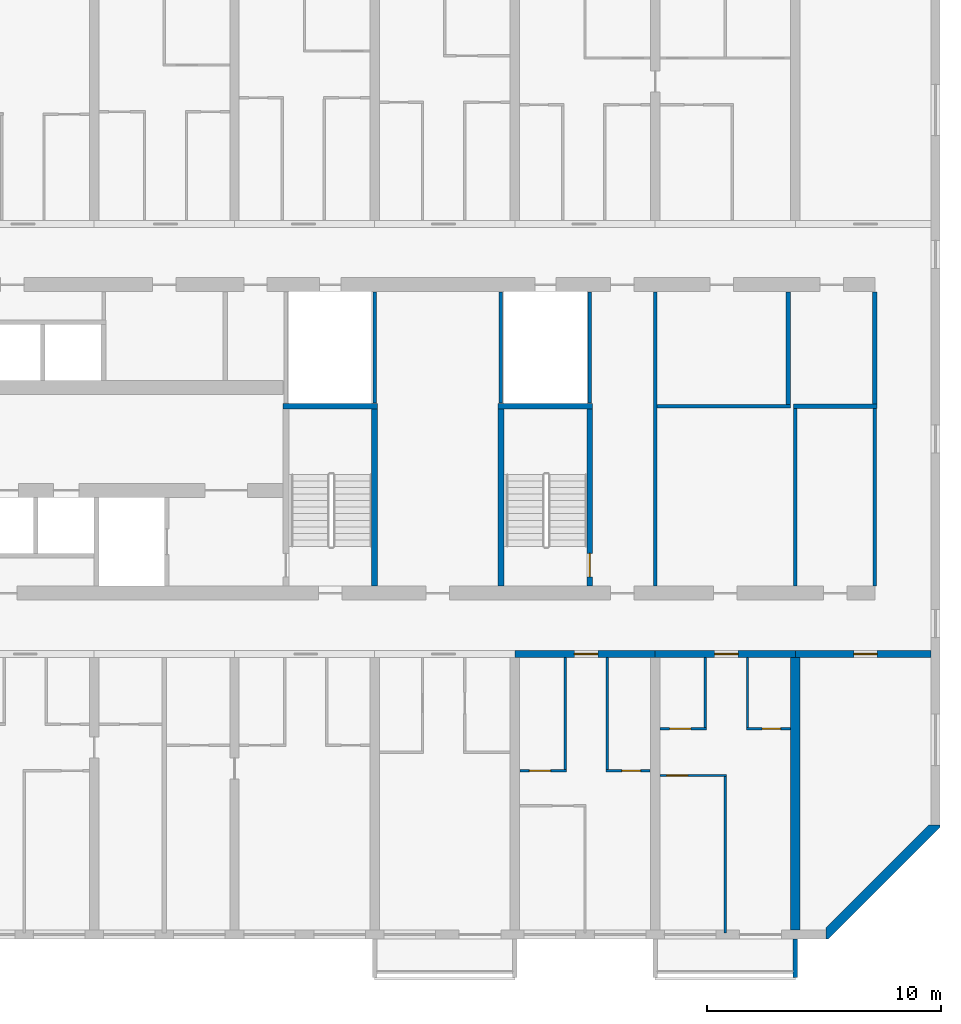
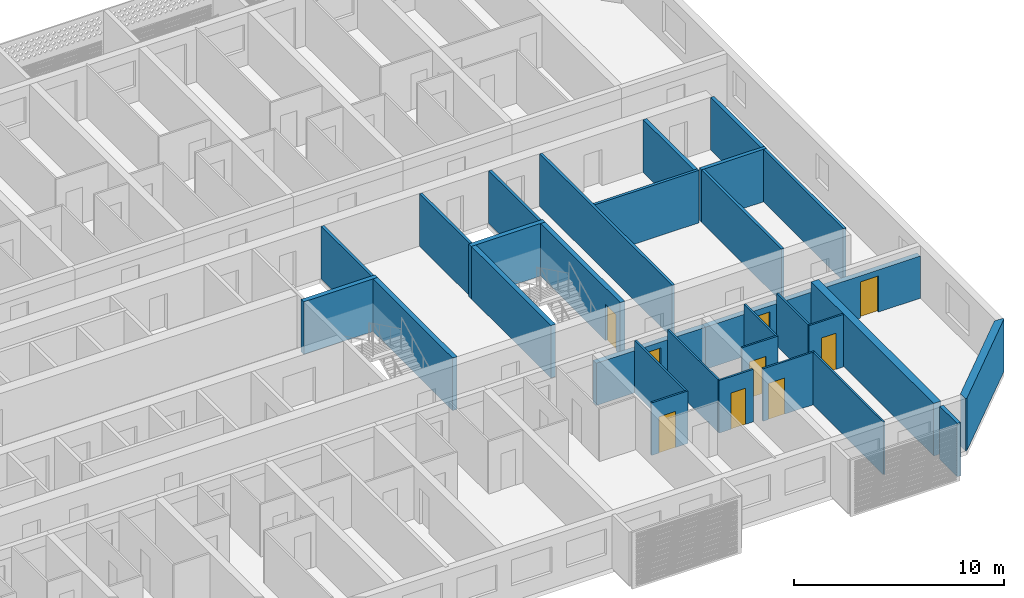
# One storey, part 14 of 39: 31 walls, 9 doors, 9 openings.
"""IFC4 building model written with IfcOpenShell, lengths in metres."""

from ifc_helpers import new_model, si_unit, direction, frame, frame_2d, origin, place, context, subcontext, project, spatial, polyline, rectangle, outline, extrude, source, transform, mapped, material, layer, layer_set, type_object, element, fill, save


model = new_model("IFC4")

# Units and contexts
model_context = context("Model", 3, precision=1e-05, world=origin(), true_north=direction((0.0, 1.0)))
body_context = subcontext(model_context, "Body", "Model", "MODEL_VIEW")
ifc_project = project(units=[si_unit("LENGTHUNIT", "METRE"), si_unit("AREAUNIT", "SQUARE_METRE"), si_unit("VOLUMEUNIT", "CUBIC_METRE"), si_unit("PLANEANGLEUNIT", "RADIAN"), si_unit("MASSUNIT", "GRAM", prefix="KILO")], contexts=[model_context])

# Site, building, storey
site_placement = place(None, origin())
site = spatial("IfcSite", under=ifc_project, at=site_placement, CompositionType="ELEMENT")
building_placement = place(site_placement, origin())
building = spatial("IfcBuilding", under=site, at=building_placement, Name="Poui Terraces", CompositionType="ELEMENT")
storey_placement = place(building_placement, frame((0.0, 0.0, 59.699951171875)))
storey = spatial("IfcBuildingStorey", under=building, at=storey_placement, Name="L16", CompositionType="ELEMENT", Elevation=59.699951171875)

# Walls
ifc_material_1 = material(Name="Fire-rated plasterboard wall")
ifc_layer_1 = layer(ifc_material_1, 0.14990234375)
ifc_layer_set_1 = layer_set([ifc_layer_1], Name="Fire-rated plasterboard wall")
wall_type_1 = type_object("IfcWallType", Name="CORRIDOR WALL 150", PredefinedType="PARTITIONING", material=ifc_layer_set_1)
wall_1_placement = place(storey_placement, frame((84.0, 14.909912109375, 0.0), z_axis=(0.0, 0.0, 1.0), x_axis=(0.0, 1.0, 0.0)))
element("IfcWall", 1, at=wall_1_placement, inside=storey, type_object=wall_type_1, Name="CORRIDOR WALL 150", PredefinedType="PARTITIONING", context=body_context, shape_type="SweptSolid", body=[
    extrude(rectangle(XDim=12.580078125, YDim=0.14990234375, at=frame_2d((6.2900390625, 0.0))), origin(), (0.0, 0.0, 1.0), 3.050048828125),
])
wall_2_placement = place(storey_placement, frame((93.39990234375, 14.909912109375, 0.0), z_axis=(0.0, 0.0, 1.0), x_axis=(0.0, 1.0, 0.0)))
element("IfcWall", 2, at=wall_2_placement, inside=storey, type_object=wall_type_1, Name="CORRIDOR WALL 150", PredefinedType="PARTITIONING", context=body_context, shape_type="SweptSolid", body=[
    extrude(rectangle(XDim=7.590087890625, YDim=0.14990234375, at=frame_2d((3.794921875, 0.0))), origin(), (0.0, 0.0, 1.0), 3.050048828125),
])

# Wall, opening, door
ifc_material_2 = material(Name="Concrete 80 MPa", Category="concrete")
ifc_layer_2 = layer(ifc_material_2, 0.300048828125)
ifc_layer_set_2 = layer_set([ifc_layer_2], Name="Concrete 80 MPa")
wall_type_2 = type_object("IfcWallType", Name="CORRIDOR WALL 300 80MPa", PredefinedType="SHEAR", material=ifc_layer_set_2)
wall_3_placement = place(storey_placement, frame((78.0, 12.0, 0.0), z_axis=(0.0, 0.0, 1.0), x_axis=(1.0, 0.0, 0.0)))
wall_3 = element("IfcWall", 3, at=wall_3_placement, inside=storey, type_object=wall_type_2, Name="CORRIDOR WALL LINE B BAY 13", PredefinedType="SHEAR", context=body_context, shape_type="SweptSolid", body=[
    extrude(rectangle(XDim=6.0, YDim=0.300048828125, at=frame_2d((3.0, 0.0))), origin(), (0.0, 0.0, 1.0), 2.449951171875),
])
opening_1_placement = place(wall_3_placement, frame((2.550048828125, 0.0, 0.0)))
opening_1 = element("IfcOpeningElement", 4, at=opening_1_placement, cuts=wall_3, Name="Opening FD30S", PredefinedType="OPENING", context=body_context, shape_type="SweptSolid", body=[
    extrude(rectangle(XDim=1.0, YDim=2.10009765625, at=frame_2d((0.5, 1.050048828125))), frame((0.0, 0.16015625, 0.0), z_axis=(0.0, -1.0, 0.0), x_axis=(1.0, 0.0, 0.0)), (0.0, 0.0, 1.0), 0.320068359375),
])
ifc_material_3 = material(Name="Steel fire door", Category="steel")
door_type_1 = type_object("IfcDoorType", Name="FLAT ENTRANCE DOOR 1000 X 2100", OperationType="NOTDEFINED", PredefinedType="DOOR", material=ifc_material_3)
door_1_placement = place(opening_1_placement, frame((1.0, 0.0, 0.0), z_axis=(0.0, 0.0, 1.0), x_axis=(-1.0, 0.0, 0.0)))
door_1 = element("IfcDoor", 5, at=door_1_placement, inside=storey, type_object=door_type_1, Name="FLAT ENTRANCE DOOR 128", OperationType="SINGLE_SWING_LEFT", OverallHeight=2.10009765625, OverallWidth=1.0, PredefinedType="DOOR", context=body_context, shape_type="SweptSolid", body=[
    extrude(rectangle(XDim=1.0, YDim=2.10009765625, at=frame_2d((0.5, 1.050048828125))), frame((0.0, 0.02490234375, 0.0), z_axis=(0.0, -1.0, 0.0), x_axis=(1.0, 0.0, 0.0)), (0.0, 0.0, 1.0), 0.050048828125),
])
fill(opening_1, door_1)

wall_4_placement = place(storey_placement, frame((84.0, 12.0, 0.0), z_axis=(0.0, 0.0, 1.0), x_axis=(1.0, 0.0, 0.0)))
wall_4 = element("IfcWall", 6, at=wall_4_placement, inside=storey, type_object=wall_type_2, Name="CORRIDOR WALL LINE B BAY 14", PredefinedType="SHEAR", context=body_context, shape_type="SweptSolid", body=[
    extrude(rectangle(XDim=6.0, YDim=0.300048828125, at=frame_2d((3.0, 0.0))), origin(), (0.0, 0.0, 1.0), 2.449951171875),
])
opening_2_placement = place(wall_4_placement, frame((2.550048828125, 0.0, 0.0)))
opening_2 = element("IfcOpeningElement", 7, at=opening_2_placement, cuts=wall_4, Name="Opening FD30S", PredefinedType="OPENING", context=body_context, shape_type="SweptSolid", body=[
    extrude(rectangle(XDim=1.0, YDim=2.10009765625, at=frame_2d((0.5, 1.050048828125))), frame((0.0, 0.16015625, 0.0), z_axis=(0.0, -1.0, 0.0), x_axis=(1.0, 0.0, 0.0)), (0.0, 0.0, 1.0), 0.320068359375),
])
door_2_placement = place(opening_2_placement, frame((1.0, 0.0, 0.0), z_axis=(0.0, 0.0, 1.0), x_axis=(-1.0, 0.0, 0.0)))
door_2 = element("IfcDoor", 8, at=door_2_placement, inside=storey, type_object=door_type_1, Name="FLAT ENTRANCE DOOR 132", OperationType="SINGLE_SWING_LEFT", OverallHeight=2.10009765625, OverallWidth=1.0, PredefinedType="DOOR", context=body_context, shape_type="SweptSolid", body=[
    extrude(rectangle(XDim=1.0, YDim=2.10009765625, at=frame_2d((0.5, 1.050048828125))), frame((0.0, 0.02490234375, 0.0), z_axis=(0.0, -1.0, 0.0), x_axis=(1.0, 0.0, 0.0)), (0.0, 0.0, 1.0), 0.050048828125),
])
fill(opening_2, door_2)

wall_5_placement = place(storey_placement, frame((90.0, 12.0, 0.0), z_axis=(0.0, 0.0, 1.0), x_axis=(1.0, 0.0, 0.0)))
wall_5 = element("IfcWall", 9, at=wall_5_placement, inside=storey, type_object=wall_type_2, Name="CORRIDOR WALL LINE B BAY 15", PredefinedType="SHEAR", context=body_context, shape_type="SweptSolid", body=[
    extrude(rectangle(XDim=5.800048828125, YDim=0.300048828125, at=frame_2d((2.89990234375, 0.0))), origin(), (0.0, 0.0, 1.0), 2.449951171875),
])
opening_3_placement = place(wall_5_placement, frame((2.5, 0.0, 0.0)))
opening_3 = element("IfcOpeningElement", 10, at=opening_3_placement, cuts=wall_5, Name="Opening D100", PredefinedType="OPENING", context=body_context, shape_type="SweptSolid", body=[
    extrude(rectangle(XDim=1.0, YDim=2.10009765625, at=frame_2d((0.5, 1.050048828125))), frame((0.0, 0.16015625, 0.0), z_axis=(0.0, -1.0, 0.0), x_axis=(1.0, 0.0, 0.0)), (0.0, 0.0, 1.0), 0.320068359375),
])
ifc_material_4 = material(Name="Solid core timber door", Category="wood")
door_type_2 = type_object("IfcDoorType", Name="ACCESSIBLE INTERNAL DOOR 1000 X 2100", OperationType="NOTDEFINED", PredefinedType="DOOR", material=ifc_material_4)
door_3_placement = place(opening_3_placement, frame((1.0, 0.0, 0.0), z_axis=(0.0, 0.0, 1.0), x_axis=(-1.0, 0.0, 0.0)))
door_3 = element("IfcDoor", 11, at=door_3_placement, inside=storey, type_object=door_type_2, Name="ACCESSIBLE INTERNAL DOOR 134", OperationType="SINGLE_SWING_RIGHT", OverallHeight=2.10009765625, OverallWidth=1.0, PredefinedType="DOOR", context=body_context, shape_type="SweptSolid", body=[
    extrude(rectangle(XDim=1.0, YDim=2.10009765625, at=frame_2d((0.5, 1.050048828125))), frame((0.0, 0.02490234375, 0.0), z_axis=(0.0, -1.0, 0.0), x_axis=(1.0, 0.0, 0.0)), (0.0, 0.0, 1.0), 0.050048828125),
])
fill(opening_3, door_3)

# Wall
ifc_layer_3 = layer(ifc_material_2, 0.39990234375)
ifc_layer_set_3 = layer_set([ifc_layer_3], Name="Concrete 80 MPa")
wall_type_3 = type_object("IfcWallType", Name="CROSS WALL 400 80MPa", PredefinedType="SHEAR", material=ifc_layer_set_3)
wall_6_placement = place(storey_placement, frame((90.0, 0.199951171875, 0.0), z_axis=(0.0, 0.0, 1.0), x_axis=(0.0, 1.0, 0.0)))
element("IfcWall", 12, at=wall_6_placement, inside=storey, type_object=wall_type_3, Name="CROSS WALL LINE 16 SOUTH", PredefinedType="SHEAR", context=body_context, shape_type="SweptSolid", body=[
    extrude(rectangle(XDim=11.650146484375, YDim=0.39990234375, at=frame_2d((5.8251953125, 0.0))), origin(), (0.0, 0.0, 1.0), 3.050048828125),
])

# Wall, opening, door
ifc_material_5 = material(Name="Plasterboard partition")
ifc_layer_4 = layer(ifc_material_5, 0.10009765625)
ifc_layer_set_4 = layer_set([ifc_layer_4], Name="Plasterboard partition")
wall_type_4 = type_object("IfcWallType", Name="FLAT PARTITION 100", PredefinedType="PARTITIONING", material=ifc_layer_set_4)
wall_7_placement = place(storey_placement, frame((84.2099609375, 6.800048828125, 0.0), z_axis=(0.0, 0.0, 1.0), x_axis=(1.0, 0.0, 0.0)))
wall_7 = element("IfcWall", 13, at=wall_7_placement, inside=storey, type_object=wall_type_4, Name="FLAT PARTITION 100", PredefinedType="PARTITIONING", context=body_context, shape_type="SweptSolid", body=[
    extrude(rectangle(XDim=2.840087890625, YDim=0.10009765625, at=frame_2d((1.419921875, 0.0))), origin(), (0.0, 0.0, 1.0), 3.050048828125),
])
opening_4_placement = place(wall_7_placement, frame((0.2900390625, 0.0, 0.0)))
opening_4 = element("IfcOpeningElement", 14, at=opening_4_placement, cuts=wall_7, Name="Opening D90", PredefinedType="OPENING", context=body_context, shape_type="SweptSolid", body=[
    extrude(rectangle(XDim=0.89990234375, YDim=2.10009765625, at=frame_2d((0.449951171875, 1.050048828125))), frame((0.0, 0.06005859375, 0.0), z_axis=(0.0, -1.0, 0.0), x_axis=(1.0, 0.0, 0.0)), (0.0, 0.0, 1.0), 0.1201171875),
])
door_type_3 = type_object("IfcDoorType", Name="INTERNAL DOOR 900 X 2100", OperationType="NOTDEFINED", PredefinedType="DOOR", material=ifc_material_4)
door_4_placement = place(opening_4_placement, origin())
door_4 = element("IfcDoor", 15, at=door_4_placement, inside=storey, type_object=door_type_3, Name="INTERNAL DOOR 130", OperationType="SINGLE_SWING_RIGHT", OverallHeight=2.10009765625, OverallWidth=0.89990234375, PredefinedType="DOOR", context=body_context, shape_type="SweptSolid", body=[
    extrude(rectangle(XDim=0.89990234375, YDim=2.10009765625, at=frame_2d((0.449951171875, 1.050048828125))), frame((0.0, 0.02490234375, 0.0), z_axis=(0.0, -1.0, 0.0), x_axis=(1.0, 0.0, 0.0)), (0.0, 0.0, 1.0), 0.050048828125),
])
fill(opening_4, door_4)

wall_8_placement = place(storey_placement, frame((78.2099609375, 7.0, 0.0), z_axis=(0.0, 0.0, 1.0), x_axis=(1.0, 0.0, 0.0)))
wall_8 = element("IfcWall", 16, at=wall_8_placement, inside=storey, type_object=wall_type_4, Name="FLAT PARTITION 100", PredefinedType="PARTITIONING", context=body_context, shape_type="SweptSolid", body=[
    extrude(rectangle(XDim=1.989990234375, YDim=0.10009765625, at=frame_2d((0.9951171875, 0.0))), origin(), (0.0, 0.0, 1.0), 3.050048828125),
])
opening_5_placement = place(wall_8_placement, frame((0.4150390625, 0.0, 0.0)))
opening_5 = element("IfcOpeningElement", 17, at=opening_5_placement, cuts=wall_8, Name="Opening D90", PredefinedType="OPENING", context=body_context, shape_type="SweptSolid", body=[
    extrude(rectangle(XDim=0.89990234375, YDim=2.10009765625, at=frame_2d((0.449951171875, 1.050048828125))), frame((0.0, 0.06005859375, 0.0), z_axis=(0.0, -1.0, 0.0), x_axis=(1.0, 0.0, 0.0)), (0.0, 0.0, 1.0), 0.1201171875),
])
door_5_placement = place(opening_5_placement, origin())
door_5 = element("IfcDoor", 18, at=door_5_placement, inside=storey, type_object=door_type_3, Name="INTERNAL DOOR 126", OperationType="SINGLE_SWING_RIGHT", OverallHeight=2.10009765625, OverallWidth=0.89990234375, PredefinedType="DOOR", context=body_context, shape_type="SweptSolid", body=[
    extrude(rectangle(XDim=0.89990234375, YDim=2.10009765625, at=frame_2d((0.449951171875, 1.050048828125))), frame((0.0, 0.02490234375, 0.0), z_axis=(0.0, -1.0, 0.0), x_axis=(1.0, 0.0, 0.0)), (0.0, 0.0, 1.0), 0.050048828125),
])
fill(opening_5, door_5)

wall_9_placement = place(storey_placement, frame((81.89990234375, 7.0, 0.0), z_axis=(0.0, 0.0, 1.0), x_axis=(1.0, 0.0, 0.0)))
wall_9 = element("IfcWall", 19, at=wall_9_placement, inside=storey, type_object=wall_type_4, Name="FLAT PARTITION 100", PredefinedType="PARTITIONING", context=body_context, shape_type="SweptSolid", body=[
    extrude(rectangle(XDim=1.89013671875, YDim=0.10009765625, at=frame_2d((0.945068359375, 0.0))), origin(), (0.0, 0.0, 1.0), 3.050048828125),
])
opening_6_placement = place(wall_9_placement, frame((0.675048828125, 0.0, 0.0)))
opening_6 = element("IfcOpeningElement", 20, at=opening_6_placement, cuts=wall_9, Name="Opening D80", PredefinedType="OPENING", context=body_context, shape_type="SweptSolid", body=[
    extrude(rectangle(XDim=0.800048828125, YDim=2.10009765625, at=frame_2d((0.39990234375, 1.050048828125))), frame((0.0, 0.06005859375, 0.0), z_axis=(0.0, -1.0, 0.0), x_axis=(1.0, 0.0, 0.0)), (0.0, 0.0, 1.0), 0.1201171875),
])
door_type_4 = type_object("IfcDoorType", Name="BATHROOM, LAUNDRY AND STORE DOOR 800 X 2100", OperationType="NOTDEFINED", PredefinedType="DOOR", material=ifc_material_4)
door_6_placement = place(opening_6_placement, origin())
door_6 = element("IfcDoor", 21, at=door_6_placement, inside=storey, type_object=door_type_4, Name="BATHROOM, LAUNDRY AND STORE DOOR 129", OperationType="SINGLE_SWING_LEFT", OverallHeight=2.10009765625, OverallWidth=0.800048828125, PredefinedType="DOOR", context=body_context, shape_type="SweptSolid", body=[
    extrude(rectangle(XDim=0.800048828125, YDim=2.10009765625, at=frame_2d((0.39990234375, 1.050048828125))), frame((0.0, 0.02490234375, 0.0), z_axis=(0.0, -1.0, 0.0), x_axis=(1.0, 0.0, 0.0)), (0.0, 0.0, 1.0), 0.050048828125),
])
fill(opening_6, door_6)

wall_10_placement = place(storey_placement, frame((84.2099609375, 8.800048828125, 0.0), z_axis=(0.0, 0.0, 1.0), x_axis=(1.0, 0.0, 0.0)))
wall_10 = element("IfcWall", 22, at=wall_10_placement, inside=storey, type_object=wall_type_4, Name="FLAT PARTITION 100", PredefinedType="PARTITIONING", context=body_context, shape_type="SweptSolid", body=[
    extrude(rectangle(XDim=1.989990234375, YDim=0.10009765625, at=frame_2d((0.9951171875, 0.0))), origin(), (0.0, 0.0, 1.0), 3.050048828125),
])
opening_7_placement = place(wall_10_placement, frame((0.4150390625, 0.0, 0.0)))
opening_7 = element("IfcOpeningElement", 23, at=opening_7_placement, cuts=wall_10, Name="Opening D90", PredefinedType="OPENING", context=body_context, shape_type="SweptSolid", body=[
    extrude(rectangle(XDim=0.89990234375, YDim=2.10009765625, at=frame_2d((0.449951171875, 1.050048828125))), frame((0.0, 0.06005859375, 0.0), z_axis=(0.0, -1.0, 0.0), x_axis=(1.0, 0.0, 0.0)), (0.0, 0.0, 1.0), 0.1201171875),
])
door_7_placement = place(opening_7_placement, origin())
door_7 = element("IfcDoor", 24, at=door_7_placement, inside=storey, type_object=door_type_3, Name="INTERNAL DOOR 131", OperationType="SINGLE_SWING_LEFT", OverallHeight=2.10009765625, OverallWidth=0.89990234375, PredefinedType="DOOR", context=body_context, shape_type="SweptSolid", body=[
    extrude(rectangle(XDim=0.89990234375, YDim=2.10009765625, at=frame_2d((0.449951171875, 1.050048828125))), frame((0.0, 0.02490234375, 0.0), z_axis=(0.0, -1.0, 0.0), x_axis=(1.0, 0.0, 0.0)), (0.0, 0.0, 1.0), 0.050048828125),
])
fill(opening_7, door_7)

wall_11_placement = place(storey_placement, frame((87.89990234375, 8.800048828125, 0.0), z_axis=(0.0, 0.0, 1.0), x_axis=(1.0, 0.0, 0.0)))
wall_11 = element("IfcWall", 25, at=wall_11_placement, inside=storey, type_object=wall_type_4, Name="FLAT PARTITION 100", PredefinedType="PARTITIONING", context=body_context, shape_type="SweptSolid", body=[
    extrude(rectangle(XDim=1.89013671875, YDim=0.10009765625, at=frame_2d((0.945068359375, 0.0))), origin(), (0.0, 0.0, 1.0), 3.050048828125),
])
opening_8_placement = place(wall_11_placement, frame((0.675048828125, 0.0, 0.0)))
opening_8 = element("IfcOpeningElement", 26, at=opening_8_placement, cuts=wall_11, Name="Opening D80", PredefinedType="OPENING", context=body_context, shape_type="SweptSolid", body=[
    extrude(rectangle(XDim=0.800048828125, YDim=2.10009765625, at=frame_2d((0.39990234375, 1.050048828125))), frame((0.0, 0.06005859375, 0.0), z_axis=(0.0, -1.0, 0.0), x_axis=(1.0, 0.0, 0.0)), (0.0, 0.0, 1.0), 0.1201171875),
])
door_8_placement = place(opening_8_placement, origin())
door_8 = element("IfcDoor", 27, at=door_8_placement, inside=storey, type_object=door_type_4, Name="BATHROOM, LAUNDRY AND STORE DOOR 133", OperationType="SINGLE_SWING_RIGHT", OverallHeight=2.10009765625, OverallWidth=0.800048828125, PredefinedType="DOOR", context=body_context, shape_type="SweptSolid", body=[
    extrude(rectangle(XDim=0.800048828125, YDim=2.10009765625, at=frame_2d((0.39990234375, 1.050048828125))), frame((0.0, 0.02490234375, 0.0), z_axis=(0.0, -1.0, 0.0), x_axis=(1.0, 0.0, 0.0)), (0.0, 0.0, 1.0), 0.050048828125),
])
fill(opening_8, door_8)

# Walls
for number, where, z_axis, x_axis, name in (
    (28, (80.14990234375, 7.050048828125, 0.0), (0.0, 0.0, 1.0), (0.0, 1.0, 0.0), "FLAT PARTITION 100"),
    (29, (81.949951171875, 7.050048828125, 0.0), (0.0, 0.0, 1.0), (0.0, 1.0, 0.0), "FLAT PARTITION 100"),
):
    element("IfcWall", number, at=place(storey_placement, frame(where, z_axis=z_axis, x_axis=x_axis)), inside=storey, type_object=wall_type_4, Name=name, PredefinedType="PARTITIONING", context=body_context, shape_type="SweptSolid", body=[
        extrude(rectangle(XDim=4.7900390625, YDim=0.10009765625, at=frame_2d((2.39501953125, 0.0))), origin(), (0.0, 0.0, 1.0), 3.050048828125),
    ])
wall_12_placement = place(storey_placement, frame((86.14990234375, 8.85009765625, 0.0), z_axis=(0.0, 0.0, 1.0), x_axis=(0.0, 1.0, 0.0)))
element("IfcWall", 30, at=wall_12_placement, inside=storey, type_object=wall_type_4, Name="FLAT PARTITION 100", PredefinedType="PARTITIONING", context=body_context, shape_type="SweptSolid", body=[
    extrude(rectangle(XDim=2.989990234375, YDim=0.10009765625, at=frame_2d((1.4951171875, 0.0))), origin(), (0.0, 0.0, 1.0), 3.050048828125),
])
wall_13_placement = place(storey_placement, frame((87.0, 0.06005859375, 0.0), z_axis=(0.0, 0.0, 1.0), x_axis=(0.0, 1.0, 0.0)))
element("IfcWall", 31, at=wall_13_placement, inside=storey, type_object=wall_type_4, Name="FLAT PARTITION 100", PredefinedType="PARTITIONING", context=body_context, shape_type="SweptSolid", body=[
    extrude(rectangle(XDim=6.68994140625, YDim=0.10009765625, at=frame_2d((3.344970703125, 0.0))), origin(), (0.0, 0.0, 1.0), 3.050048828125),
])
wall_14_placement = place(storey_placement, frame((87.949951171875, 8.85009765625, 0.0), z_axis=(0.0, 0.0, 1.0), x_axis=(0.0, 1.0, 0.0)))
element("IfcWall", 32, at=wall_14_placement, inside=storey, type_object=wall_type_4, Name="FLAT PARTITION 100", PredefinedType="PARTITIONING", context=body_context, shape_type="SweptSolid", body=[
    extrude(rectangle(XDim=2.989990234375, YDim=0.10009765625, at=frame_2d((1.4951171875, 0.0))), origin(), (0.0, 0.0, 1.0), 3.050048828125),
])
ifc_layer_5 = layer(ifc_material_5, 0.14990234375)
ifc_layer_set_5 = layer_set([ifc_layer_5], Name="Plasterboard partition")
wall_type_5 = type_object("IfcWallType", Name="PARTITION WALL 150", PredefinedType="PARTITIONING", material=ifc_layer_set_5)
wall_15_placement = place(storey_placement, frame((84.074951171875, 22.60009765625, 0.0), z_axis=(0.0, 0.0, 1.0), x_axis=(1.0, 0.0, 0.0)))
element("IfcWall", 33, at=wall_15_placement, inside=storey, type_object=wall_type_5, Name="PARTITION WALL 150", PredefinedType="PARTITIONING", context=body_context, shape_type="SweptSolid", body=[
    extrude(rectangle(XDim=5.72509765625, YDim=0.14990234375, at=frame_2d((2.862548828125, 0.0))), origin(), (0.0, 0.0, 1.0), 3.050048828125),
])
wall_16_placement = place(storey_placement, frame((90.0, 14.909912109375, 0.0), z_axis=(0.0, 0.0, 1.0), x_axis=(0.0, 1.0, 0.0)))
element("IfcWall", 34, at=wall_16_placement, inside=storey, type_object=wall_type_5, Name="PARTITION WALL 150", PredefinedType="PARTITIONING", context=body_context, shape_type="SweptSolid", body=[
    extrude(rectangle(XDim=7.590087890625, YDim=0.14990234375, at=frame_2d((3.794921875, 0.0))), origin(), (0.0, 0.0, 1.0), 3.050048828125),
])
ifc_material_6 = material(Name="Fire-rated masonry wall", Category="masonry")
ifc_layer_6 = layer(ifc_material_6, 0.199951171875)
ifc_layer_set_6 = layer_set([ifc_layer_6], Name="Fire-rated masonry wall")
wall_type_6 = type_object("IfcWallType", Name="PLANT ROOM WALL 200", PredefinedType="PARTITIONING", material=ifc_layer_set_6)
wall_17_placement = place(storey_placement, frame((89.925048828125, 22.60009765625, 0.0), z_axis=(0.0, 0.0, 1.0), x_axis=(1.0, 0.0, 0.0)))
element("IfcWall", 35, at=wall_17_placement, inside=storey, type_object=wall_type_6, Name="PLANT ROOM WALL 200", PredefinedType="PARTITIONING", context=body_context, shape_type="SweptSolid", body=[
    extrude(rectangle(XDim=3.574951171875, YDim=0.199951171875, at=frame_2d((1.78759765625, 0.0))), origin(), (0.0, 0.0, 1.0), 3.050048828125),
])
wall_18_placement = place(storey_placement, frame((89.699951171875, 22.675048828125, 0.0), z_axis=(0.0, 0.0, 1.0), x_axis=(0.0, 1.0, 0.0)))
element("IfcWall", 36, at=wall_18_placement, inside=storey, type_object=wall_type_6, Name="PLANT ROOM WALL 200", PredefinedType="PARTITIONING", context=body_context, shape_type="SweptSolid", body=[
    extrude(rectangle(XDim=4.81494140625, YDim=0.199951171875, at=frame_2d((2.407470703125, 0.0))), origin(), (0.0, 0.0, 1.0), 3.050048828125),
])
wall_19_placement = place(storey_placement, frame((93.39990234375, 22.699951171875, 0.0), z_axis=(0.0, 0.0, 1.0), x_axis=(0.0, 1.0, 0.0)))
element("IfcWall", 37, at=wall_19_placement, inside=storey, type_object=wall_type_6, Name="PLANT ROOM WALL 200", PredefinedType="PARTITIONING", context=body_context, shape_type="SweptSolid", body=[
    extrude(rectangle(XDim=4.7900390625, YDim=0.199951171875, at=frame_2d((2.39501953125, 0.0))), origin(), (0.0, 0.0, 1.0), 3.050048828125),
])
ifc_material_7 = material(Name="Fire-rated plasterboard riser wall")
ifc_layer_7 = layer(ifc_material_7, 0.14990234375)
ifc_layer_set_7 = layer_set([ifc_layer_7], Name="Fire-rated plasterboard riser wall")
wall_type_7 = type_object("IfcWallType", Name="RISER WALL 150", PredefinedType="PARTITIONING", material=ifc_layer_set_7)
for number, where, z_axis, x_axis, name in (
    (38, (72.0, 22.735107421875, 0.0), (0.0, 0.0, 1.0), (0.0, 1.0, 0.0), "RISER WALL 150"),
    (39, (77.39990234375, 22.735107421875, 0.0), (0.0, 0.0, 1.0), (0.0, 1.0, 0.0), "RISER WALL 150"),
    (40, (81.199951171875, 22.735107421875, 0.0), (0.0, 0.0, 1.0), (0.0, 1.0, 0.0), "RISER WALL 150"),
):
    element("IfcWall", number, at=place(storey_placement, frame(where, z_axis=z_axis, x_axis=x_axis)), inside=storey, type_object=wall_type_7, Name=name, PredefinedType="PARTITIONING", context=body_context, shape_type="SweptSolid", body=[
        extrude(rectangle(XDim=4.7548828125, YDim=0.14990234375, at=frame_2d((2.37744140625, 0.0))), origin(), (0.0, 0.0, 1.0), 3.050048828125),
    ])
ifc_layer_8 = layer(ifc_material_2, 0.25)
ifc_layer_set_8 = layer_set([ifc_layer_8], Name="Concrete 80 MPa")
wall_type_8 = type_object("IfcWallType", Name="STAIR CORE WALL 250 80 MPA", PredefinedType="SOLIDWALL", material=ifc_layer_set_8)
wall_20_placement = place(storey_placement, frame((72.0, 14.89990234375, 0.0), z_axis=(0.0, 0.0, 1.0), x_axis=(0.0, 1.0, 0.0)))
element("IfcWall", 41, at=wall_20_placement, inside=storey, type_object=wall_type_8, Name="STAIR CORE WALL", PredefinedType="SOLIDWALL", context=body_context, shape_type="SweptSolid", body=[
    extrude(rectangle(XDim=7.5751953125, YDim=0.25, at=frame_2d((3.78759765625, 0.0))), origin(), (0.0, 0.0, 1.0), 3.050048828125),
])
wall_21_placement = place(storey_placement, frame((68.074951171875, 22.60009765625, 0.0), z_axis=(0.0, 0.0, 1.0), x_axis=(1.0, 0.0, 0.0)))
element("IfcWall", 42, at=wall_21_placement, inside=storey, type_object=wall_type_8, Name="STAIR CORE WALL", PredefinedType="SOLIDWALL", context=body_context, shape_type="SweptSolid", body=[
    extrude(rectangle(XDim=4.050048828125, YDim=0.25, at=frame_2d((2.02490234375, 0.0))), origin(), (0.0, 0.0, 1.0), 3.050048828125),
])
wall_22_placement = place(storey_placement, frame((77.39990234375, 14.89990234375, 0.0), z_axis=(0.0, 0.0, 1.0), x_axis=(0.0, 1.0, 0.0)))
element("IfcWall", 43, at=wall_22_placement, inside=storey, type_object=wall_type_8, Name="STAIR CORE WALL", PredefinedType="SOLIDWALL", context=body_context, shape_type="SweptSolid", body=[
    extrude(rectangle(XDim=7.5751953125, YDim=0.25, at=frame_2d((3.78759765625, 0.0))), origin(), (0.0, 0.0, 1.0), 3.050048828125),
])

# Wall, opening, door
wall_23_placement = place(storey_placement, frame((81.199951171875, 14.89990234375, 0.0), z_axis=(0.0, 0.0, 1.0), x_axis=(0.0, 1.0, 0.0)))
wall_23 = element("IfcWall", 44, at=wall_23_placement, inside=storey, type_object=wall_type_8, Name="STAIR CORE WALL", PredefinedType="SOLIDWALL", context=body_context, shape_type="SweptSolid", body=[
    extrude(rectangle(XDim=7.5751953125, YDim=0.25, at=frame_2d((3.78759765625, 0.0))), origin(), (0.0, 0.0, 1.0), 3.050048828125),
])
opening_9_placement = place(wall_23_placement, frame((0.39990234375, 0.0, 0.0)))
opening_9 = element("IfcOpeningElement", 45, at=opening_9_placement, cuts=wall_23, Name="Opening FD60S", PredefinedType="OPENING", context=body_context, shape_type="SweptSolid", body=[
    extrude(rectangle(XDim=1.0, YDim=2.10009765625, at=frame_2d((0.5, 1.050048828125))), frame((0.0, 0.135009765625, 0.0), z_axis=(0.0, -1.0, 0.0), x_axis=(1.0, 0.0, 0.0)), (0.0, 0.0, 1.0), 0.27001953125),
])
door_type_5 = type_object("IfcDoorType", Name="STAIR DOOR 1000 X 2100", OperationType="NOTDEFINED", PredefinedType="DOOR", material=ifc_material_3)
door_9_placement = place(opening_9_placement, origin())
door_9 = element("IfcDoor", 46, at=door_9_placement, inside=storey, type_object=door_type_5, Name="STAIR DOOR 150", OperationType="SINGLE_SWING_LEFT", OverallHeight=2.10009765625, OverallWidth=1.0, PredefinedType="DOOR", context=body_context, shape_type="SweptSolid", body=[
    extrude(rectangle(XDim=1.0, YDim=2.10009765625, at=frame_2d((0.5, 1.050048828125))), frame((0.0, 0.02490234375, 0.0), z_axis=(0.0, -1.0, 0.0), x_axis=(1.0, 0.0, 0.0)), (0.0, 0.0, 1.0), 0.050048828125),
])
fill(opening_9, door_9)

# Walls
wall_24_placement = place(storey_placement, frame((77.27490234375, 22.60009765625, 0.0), z_axis=(0.0, 0.0, 1.0), x_axis=(1.0, 0.0, 0.0)))
element("IfcWall", 47, at=wall_24_placement, inside=storey, type_object=wall_type_8, Name="STAIR CORE WALL", PredefinedType="SOLIDWALL", context=body_context, shape_type="SweptSolid", body=[
    extrude(rectangle(XDim=4.050048828125, YDim=0.25, at=frame_2d((2.02490234375, 0.0))), origin(), (0.0, 0.0, 1.0), 3.050048828125),
])
ifc_material_8 = material(Name="Precast concrete 40 MPa", Category="concrete")
ifc_layer_9 = layer(ifc_material_8, 0.39990234375)
ifc_layer_set_9 = layer_set([ifc_layer_9], Name="Precast concrete 40 MPa")
wall_type_9 = type_object("IfcWallType", Name="TERRACOTTA CLAD CHAMFER WALL 400", PredefinedType="STANDARD", material=ifc_layer_set_9)
wall_25_placement = place(storey_placement, origin())
element("IfcWall", 48, at=wall_25_placement, inside=storey, type_object=wall_type_9, Name="CHAMFER WALL CH01", PredefinedType="STANDARD", context=body_context, shape_type="SweptSolid", body=[
    extrude(outline(polyline([(91.317138671875, -0.199951171875), (91.39990234375, -0.199951171875), (96.199951171875, 4.60009765625), (96.199951171875, 4.682861328125), (95.71728515625, 4.682861328125), (91.317138671875, 0.28271484375), (91.317138671875, -0.199951171875)])), origin(), (0.0, 0.0, 1.0), 3.050048828125),
])
ifc_layer_10 = layer(ifc_material_8, 0.199951171875)
ifc_layer_set_10 = layer_set([ifc_layer_10], Name="Precast concrete 40 MPa")
wall_type_10 = type_object("IfcWallType", Name="REAR FIN 200", PredefinedType="STANDARD", material=ifc_layer_set_10)
shared_shape = source(origin(), body_context, "Body", "SweptSolid", [
    extrude(outline(polyline([(0.0, 0.0), (0.2001953125, 0.0), (0.2001953125, 1.650146484375), (0.0, 1.650146484375), (0.0, 0.0)])), origin(), (0.0, 0.0, 1.0), 3.10009765625),
])
wall_26_placement = place(storey_placement, frame((89.89990234375, -1.85009765625, 0.0)))
element("IfcWall", 49, at=wall_26_placement, inside=storey, type_object=wall_type_10, Name="REAR FIN", PredefinedType="STANDARD", context=body_context, shape_type="MappedRepresentation", body=[
    mapped(shared_shape, transform((0.0, 0.0, 0.0))),
])

save(model, "model.ifc")
